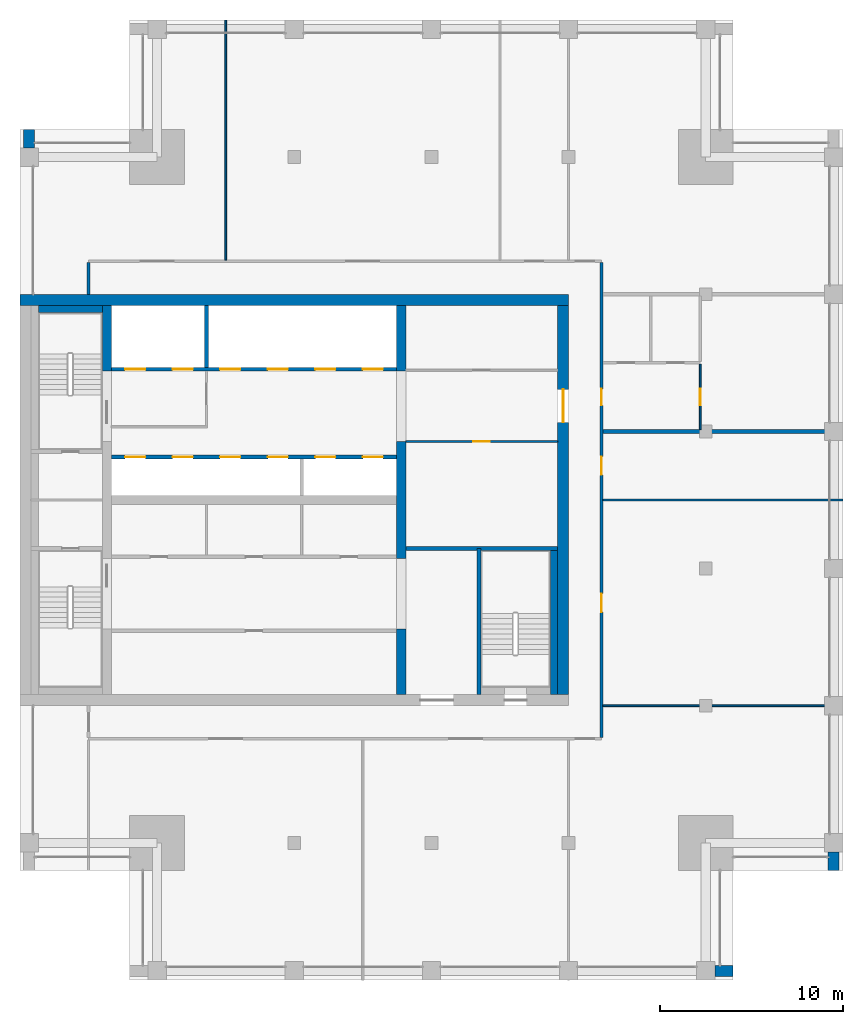
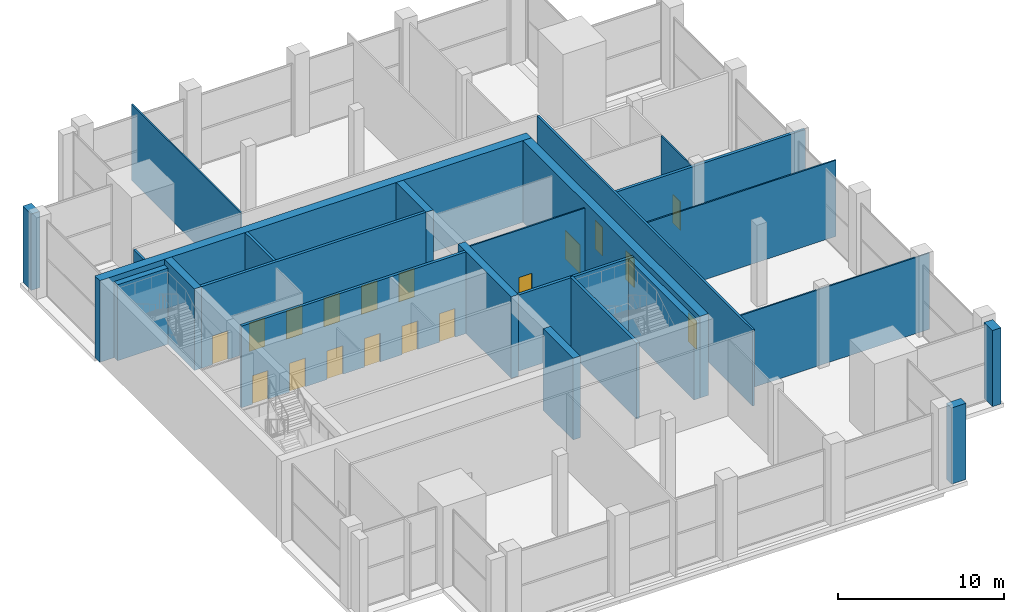
# One storey, part 9 of 15: 24 walls, 18 doors, 18 openings.
"""IFC4 building model written with IfcOpenShell, lengths in metres."""

from ifc_helpers import new_model, si_unit, direction, frame, frame_2d, origin, place, context, subcontext, project, spatial, rectangle, extrude, material, layer, layer_set, type_object, element, fill, save


model = new_model("IFC4")

# Units and contexts
model_context = context("Model", 3, precision=1e-05, world=origin(), true_north=direction((0.0, 1.0)))
body_context = subcontext(model_context, "Body", "Model", "MODEL_VIEW")
ifc_project = project(units=[si_unit("LENGTHUNIT", "METRE"), si_unit("AREAUNIT", "SQUARE_METRE"), si_unit("VOLUMEUNIT", "CUBIC_METRE"), si_unit("PLANEANGLEUNIT", "RADIAN"), si_unit("MASSUNIT", "GRAM", prefix="KILO")], contexts=[model_context])

# Site, building, storey
site_placement = place(None, origin())
site = spatial("IfcSite", under=ifc_project, at=site_placement, CompositionType="ELEMENT")
building_placement = place(site_placement, origin())
building = spatial("IfcBuilding", under=site, at=building_placement, Name="Tamorin Gate", CompositionType="ELEMENT")
storey_placement = place(building_placement, frame((0.0, 0.0, 308.699951171875)))
storey = spatial("IfcBuildingStorey", under=building, at=storey_placement, Name="L76", CompositionType="ELEMENT", Elevation=308.699951171875)

# Walls
ifc_material_1 = material(Name="Precast concrete C40/50", Category="concrete")
ifc_layer_1 = layer(ifc_material_1, 0.60009765625)
ifc_layer_set_1 = layer_set([ifc_layer_1], Name="Precast concrete C40/50")
wall_type_1 = type_object("IfcWallType", Name="Board-marked concrete facade panel 600", PredefinedType="SOLIDWALL", material=ifc_layer_set_1)
for number, where, z_axis, x_axis, name in (
    (1, (68.0, 45.5, 0.0), (0.0, 0.0, 1.0), (1.0, 0.0, 0.0), "Facade panel"),
    (2, (74.5, 51.0, 0.0), (0.0, 0.0, 1.0), (0.0, 1.0, 0.0), "Facade panel"),
    (3, (30.5, 91.5, 0.0), (0.0, 0.0, 1.0), (0.0, -1.0, 0.0), "Facade panel"),
):
    element("IfcWall", number, at=place(storey_placement, frame(where, z_axis=z_axis, x_axis=x_axis)), inside=storey, type_object=wall_type_1, Name=name, PredefinedType="SOLIDWALL", context=body_context, shape_type="SweptSolid", body=[
        extrude(rectangle(XDim=1.0, YDim=0.60009765625, at=frame_2d((0.5, 0.0))), origin(), (0.0, 0.0, 1.0), 5.60009765625),
    ])
ifc_material_2 = material(Name="Gypsum board partition")
ifc_layer_2 = layer(ifc_material_2, 0.14990234375)
ifc_layer_set_2 = layer_set([ifc_layer_2], Name="Corridor wall 150")
wall_type_2 = type_object("IfcWallType", Name="Corridor wall 150", PredefinedType="PARTITIONING", material=ifc_layer_set_2)
wall_1_placement = place(storey_placement, frame((33.75, 82.5, 0.0), z_axis=(0.0, 0.0, 1.0), x_axis=(0.0, 1.0, 0.0)))
element("IfcWall", 4, at=wall_1_placement, inside=storey, type_object=wall_type_2, Name="Corridor wall 150", PredefinedType="PARTITIONING", context=body_context, shape_type="SweptSolid", body=[
    extrude(rectangle(XDim=1.72509765625, YDim=0.14990234375, at=frame_2d((0.862548828125, 0.0))), origin(), (0.0, 0.0, 1.0), 5.60009765625),
])

# Wall, openings, doors
wall_2_placement = place(storey_placement, frame((61.800048828125, 58.27490234375, 0.0), z_axis=(0.0, 0.0, 1.0), x_axis=(0.0, 1.0, 0.0)))
wall_2 = element("IfcWall", 5, at=wall_2_placement, inside=storey, type_object=wall_type_2, Name="Corridor wall 150", PredefinedType="PARTITIONING", context=body_context, shape_type="SweptSolid", body=[
    extrude(rectangle(XDim=25.9501953125, YDim=0.14990234375, at=frame_2d((12.97509765625, 0.0))), origin(), (0.0, 0.0, 1.0), 5.60009765625),
])
opening_1_placement = place(wall_2_placement, frame((6.85009765625, 0.0, 0.0)))
opening_1 = element("IfcOpeningElement", 6, at=opening_1_placement, cuts=wall_2, Name="Opening DOB2009", PredefinedType="OPENING", context=body_context, shape_type="SweptSolid", body=[
    extrude(rectangle(XDim=1.0, YDim=2.10009765625, at=frame_2d((0.5, 1.050048828125))), frame((0.0, 0.0849609375, 0.0), z_axis=(0.0, -1.0, 0.0), x_axis=(1.0, 0.0, 0.0)), (0.0, 0.0, 1.0), 0.169921875),
])
opening_2_placement = place(wall_2_placement, frame((14.35009765625, 0.0, 0.0)))
opening_2 = element("IfcOpeningElement", 7, at=opening_2_placement, cuts=wall_2, Name="Opening DOB2010", PredefinedType="OPENING", context=body_context, shape_type="SweptSolid", body=[
    extrude(rectangle(XDim=1.0, YDim=2.10009765625, at=frame_2d((0.5, 1.050048828125))), frame((0.0, 0.0849609375, 0.0), z_axis=(0.0, -1.0, 0.0), x_axis=(1.0, 0.0, 0.0)), (0.0, 0.0, 1.0), 0.169921875),
])
opening_3_placement = place(wall_2_placement, frame((18.14990234375, 0.0, 0.0)))
opening_3 = element("IfcOpeningElement", 8, at=opening_3_placement, cuts=wall_2, Name="Opening DOB2011", PredefinedType="OPENING", context=body_context, shape_type="SweptSolid", body=[
    extrude(rectangle(XDim=0.89990234375, YDim=2.10009765625, at=frame_2d((0.449951171875, 1.050048828125))), frame((0.0, 0.0849609375, 0.0), z_axis=(0.0, -1.0, 0.0), x_axis=(1.0, 0.0, 0.0)), (0.0, 0.0, 1.0), 0.169921875),
])
ifc_material_3 = material(Name="Timber door leaf", Category="wood")
door_type_1 = type_object("IfcDoorType", Name="Door 1000 x 2100 FD30S", OperationType="NOTDEFINED", PredefinedType="DOOR", material=ifc_material_3)
door_1_placement = place(opening_1_placement, origin())
door_1 = element("IfcDoor", 9, at=door_1_placement, inside=storey, type_object=door_type_1, Name="Door DOB2009", OperationType="SINGLE_SWING_RIGHT", OverallHeight=2.10009765625, OverallWidth=1.0, PredefinedType="DOOR", context=body_context, shape_type="SweptSolid", body=[
    extrude(rectangle(XDim=1.0, YDim=2.10009765625, at=frame_2d((0.5, 1.050048828125))), frame((0.0, 0.02490234375, 0.0), z_axis=(0.0, -1.0, 0.0), x_axis=(1.0, 0.0, 0.0)), (0.0, 0.0, 1.0), 0.050048828125),
])
fill(opening_1, door_1)
door_2_placement = place(opening_2_placement, origin())
door_2 = element("IfcDoor", 10, at=door_2_placement, inside=storey, type_object=door_type_1, Name="Door DOB2010", OperationType="SINGLE_SWING_RIGHT", OverallHeight=2.10009765625, OverallWidth=1.0, PredefinedType="DOOR", context=body_context, shape_type="SweptSolid", body=[
    extrude(rectangle(XDim=1.0, YDim=2.10009765625, at=frame_2d((0.5, 1.050048828125))), frame((0.0, 0.02490234375, 0.0), z_axis=(0.0, -1.0, 0.0), x_axis=(1.0, 0.0, 0.0)), (0.0, 0.0, 1.0), 0.050048828125),
])
fill(opening_2, door_2)
door_type_2 = type_object("IfcDoorType", Name="Door 900 x 2100 FD30S", OperationType="NOTDEFINED", PredefinedType="DOOR", material=ifc_material_3)
door_3_placement = place(opening_3_placement, origin())
door_3 = element("IfcDoor", 11, at=door_3_placement, inside=storey, type_object=door_type_2, Name="Door DOB2011", OperationType="SINGLE_SWING_RIGHT", OverallHeight=2.10009765625, OverallWidth=0.89990234375, PredefinedType="DOOR", context=body_context, shape_type="SweptSolid", body=[
    extrude(rectangle(XDim=0.89990234375, YDim=2.10009765625, at=frame_2d((0.449951171875, 1.050048828125))), frame((0.0, 0.02490234375, 0.0), z_axis=(0.0, -1.0, 0.0), x_axis=(1.0, 0.0, 0.0)), (0.0, 0.0, 1.0), 0.050048828125),
])
fill(opening_3, door_3)

# Wall
ifc_layer_3 = layer(ifc_material_2, 0.199951171875)
ifc_layer_set_3 = layer_set([ifc_layer_3], Name="Demising wall 200")
wall_type_3 = type_object("IfcWallType", Name="Demising wall 200", PredefinedType="PARTITIONING", material=ifc_layer_set_3)
wall_3_placement = place(storey_placement, frame((61.875, 75.0, 0.0), z_axis=(0.0, 0.0, 1.0), x_axis=(1.0, 0.0, 0.0)))
element("IfcWall", 12, at=wall_3_placement, inside=storey, type_object=wall_type_3, Name="Demising wall 200", PredefinedType="PARTITIONING", context=body_context, shape_type="SweptSolid", body=[
    extrude(rectangle(XDim=13.125, YDim=0.199951171875, at=frame_2d((6.5625, 0.0))), origin(), (0.0, 0.0, 1.0), 5.60009765625),
])

# Wall, openings, doors
ifc_material_4 = material(Name="Concrete C32/40", Category="concrete")
ifc_layer_4 = layer(ifc_material_4, 0.199951171875)
ifc_layer_set_4 = layer_set([ifc_layer_4], Name="Lift lobby face wall 200 EI 120")
wall_type_4 = type_object("IfcWallType", Name="Lift lobby face wall 200 EI 120", PredefinedType="SOLIDWALL", material=ifc_layer_set_4)
wall_4_placement = place(storey_placement, frame((35.0, 73.60009765625, 0.0), z_axis=(0.0, 0.0, 1.0), x_axis=(1.0, 0.0, 0.0)))
wall_4 = element("IfcWall", 13, at=wall_4_placement, inside=storey, type_object=wall_type_4, Name="Lift lobby face wall", PredefinedType="SOLIDWALL", context=body_context, shape_type="SweptSolid", body=[
    extrude(rectangle(XDim=15.60009765625, YDim=0.199951171875, at=frame_2d((7.800048828125, 0.0))), origin(), (0.0, 0.0, 1.0), 6.0),
])
opening_4_placement = place(wall_4_placement, frame((0.75, 0.0, 0.0)))
opening_4 = element("IfcOpeningElement", 14, at=opening_4_placement, cuts=wall_4, Name="Opening LD11", PredefinedType="OPENING", context=body_context, shape_type="SweptSolid", body=[
    extrude(rectangle(XDim=1.10009765625, YDim=2.10009765625, at=frame_2d((0.550048828125, 1.050048828125))), frame((0.0, 0.10986328125, 0.0), z_axis=(0.0, -1.0, 0.0), x_axis=(1.0, 0.0, 0.0)), (0.0, 0.0, 1.0), 0.219970703125),
])
opening_5_placement = place(wall_4_placement, frame((3.35009765625, 0.0, 0.0)))
opening_5 = element("IfcOpeningElement", 15, at=opening_5_placement, cuts=wall_4, Name="Opening LD12", PredefinedType="OPENING", context=body_context, shape_type="SweptSolid", body=[
    extrude(rectangle(XDim=1.10009765625, YDim=2.10009765625, at=frame_2d((0.550048828125, 1.050048828125))), frame((0.0, 0.10986328125, 0.0), z_axis=(0.0, -1.0, 0.0), x_axis=(1.0, 0.0, 0.0)), (0.0, 0.0, 1.0), 0.219970703125),
])
opening_6_placement = place(wall_4_placement, frame((5.949951171875, 0.0, 0.0)))
opening_6 = element("IfcOpeningElement", 16, at=opening_6_placement, cuts=wall_4, Name="Opening LD13", PredefinedType="OPENING", context=body_context, shape_type="SweptSolid", body=[
    extrude(rectangle(XDim=1.10009765625, YDim=2.10009765625, at=frame_2d((0.550048828125, 1.050048828125))), frame((0.0, 0.10986328125, 0.0), z_axis=(0.0, -1.0, 0.0), x_axis=(1.0, 0.0, 0.0)), (0.0, 0.0, 1.0), 0.219970703125),
])
opening_7_placement = place(wall_4_placement, frame((8.550048828125, 0.0, 0.0)))
opening_7 = element("IfcOpeningElement", 17, at=opening_7_placement, cuts=wall_4, Name="Opening LD14", PredefinedType="OPENING", context=body_context, shape_type="SweptSolid", body=[
    extrude(rectangle(XDim=1.10009765625, YDim=2.10009765625, at=frame_2d((0.550048828125, 1.050048828125))), frame((0.0, 0.10986328125, 0.0), z_axis=(0.0, -1.0, 0.0), x_axis=(1.0, 0.0, 0.0)), (0.0, 0.0, 1.0), 0.219970703125),
])
opening_8_placement = place(wall_4_placement, frame((11.14990234375, 0.0, 0.0)))
opening_8 = element("IfcOpeningElement", 18, at=opening_8_placement, cuts=wall_4, Name="Opening LD15", PredefinedType="OPENING", context=body_context, shape_type="SweptSolid", body=[
    extrude(rectangle(XDim=1.10009765625, YDim=2.10009765625, at=frame_2d((0.550048828125, 1.050048828125))), frame((0.0, 0.10986328125, 0.0), z_axis=(0.0, -1.0, 0.0), x_axis=(1.0, 0.0, 0.0)), (0.0, 0.0, 1.0), 0.219970703125),
])
opening_9_placement = place(wall_4_placement, frame((13.75, 0.0, 0.0)))
opening_9 = element("IfcOpeningElement", 19, at=opening_9_placement, cuts=wall_4, Name="Opening LD16", PredefinedType="OPENING", context=body_context, shape_type="SweptSolid", body=[
    extrude(rectangle(XDim=1.10009765625, YDim=2.10009765625, at=frame_2d((0.550048828125, 1.050048828125))), frame((0.0, 0.10986328125, 0.0), z_axis=(0.0, -1.0, 0.0), x_axis=(1.0, 0.0, 0.0)), (0.0, 0.0, 1.0), 0.219970703125),
])
ifc_material_5 = material(Name="Stainless steel sliding door", Category="steel")
door_type_3 = type_object("IfcDoorType", Name="Lift landing door 1100 x 2100 E 90", OperationType="DOUBLE_DOOR_SLIDING", PredefinedType="DOOR", material=ifc_material_5)
door_4_placement = place(opening_4_placement, origin())
door_4 = element("IfcDoor", 20, at=door_4_placement, inside=storey, type_object=door_type_3, Name="HR1 landing door", OperationType="DOUBLE_DOOR_SLIDING", OverallHeight=2.10009765625, OverallWidth=1.10009765625, PredefinedType="DOOR", context=body_context, shape_type="SweptSolid", body=[
    extrude(rectangle(XDim=1.10009765625, YDim=2.10009765625, at=frame_2d((0.550048828125, 1.050048828125))), frame((0.0, 0.02490234375, 0.0), z_axis=(0.0, -1.0, 0.0), x_axis=(1.0, 0.0, 0.0)), (0.0, 0.0, 1.0), 0.050048828125),
])
fill(opening_4, door_4)
door_5_placement = place(opening_5_placement, origin())
door_5 = element("IfcDoor", 21, at=door_5_placement, inside=storey, type_object=door_type_3, Name="HR2 landing door", OperationType="DOUBLE_DOOR_SLIDING", OverallHeight=2.10009765625, OverallWidth=1.10009765625, PredefinedType="DOOR", context=body_context, shape_type="SweptSolid", body=[
    extrude(rectangle(XDim=1.10009765625, YDim=2.10009765625, at=frame_2d((0.550048828125, 1.050048828125))), frame((0.0, 0.02490234375, 0.0), z_axis=(0.0, -1.0, 0.0), x_axis=(1.0, 0.0, 0.0)), (0.0, 0.0, 1.0), 0.050048828125),
])
fill(opening_5, door_5)
door_6_placement = place(opening_6_placement, origin())
door_6 = element("IfcDoor", 22, at=door_6_placement, inside=storey, type_object=door_type_3, Name="HR3 landing door", OperationType="DOUBLE_DOOR_SLIDING", OverallHeight=2.10009765625, OverallWidth=1.10009765625, PredefinedType="DOOR", context=body_context, shape_type="SweptSolid", body=[
    extrude(rectangle(XDim=1.10009765625, YDim=2.10009765625, at=frame_2d((0.550048828125, 1.050048828125))), frame((0.0, 0.02490234375, 0.0), z_axis=(0.0, -1.0, 0.0), x_axis=(1.0, 0.0, 0.0)), (0.0, 0.0, 1.0), 0.050048828125),
])
fill(opening_6, door_6)
door_7_placement = place(opening_7_placement, origin())
door_7 = element("IfcDoor", 23, at=door_7_placement, inside=storey, type_object=door_type_3, Name="HR4 landing door", OperationType="DOUBLE_DOOR_SLIDING", OverallHeight=2.10009765625, OverallWidth=1.10009765625, PredefinedType="DOOR", context=body_context, shape_type="SweptSolid", body=[
    extrude(rectangle(XDim=1.10009765625, YDim=2.10009765625, at=frame_2d((0.550048828125, 1.050048828125))), frame((0.0, 0.02490234375, 0.0), z_axis=(0.0, -1.0, 0.0), x_axis=(1.0, 0.0, 0.0)), (0.0, 0.0, 1.0), 0.050048828125),
])
fill(opening_7, door_7)
door_8_placement = place(opening_8_placement, origin())
door_8 = element("IfcDoor", 24, at=door_8_placement, inside=storey, type_object=door_type_3, Name="HR5 landing door", OperationType="DOUBLE_DOOR_SLIDING", OverallHeight=2.10009765625, OverallWidth=1.10009765625, PredefinedType="DOOR", context=body_context, shape_type="SweptSolid", body=[
    extrude(rectangle(XDim=1.10009765625, YDim=2.10009765625, at=frame_2d((0.550048828125, 1.050048828125))), frame((0.0, 0.02490234375, 0.0), z_axis=(0.0, -1.0, 0.0), x_axis=(1.0, 0.0, 0.0)), (0.0, 0.0, 1.0), 0.050048828125),
])
fill(opening_8, door_8)
door_9_placement = place(opening_9_placement, origin())
door_9 = element("IfcDoor", 25, at=door_9_placement, inside=storey, type_object=door_type_3, Name="HR6 landing door", OperationType="DOUBLE_DOOR_SLIDING", OverallHeight=2.10009765625, OverallWidth=1.10009765625, PredefinedType="DOOR", context=body_context, shape_type="SweptSolid", body=[
    extrude(rectangle(XDim=1.10009765625, YDim=2.10009765625, at=frame_2d((0.550048828125, 1.050048828125))), frame((0.0, 0.02490234375, 0.0), z_axis=(0.0, -1.0, 0.0), x_axis=(1.0, 0.0, 0.0)), (0.0, 0.0, 1.0), 0.050048828125),
])
fill(opening_9, door_9)

wall_5_placement = place(storey_placement, frame((35.0, 78.39990234375, 0.0), z_axis=(0.0, 0.0, 1.0), x_axis=(1.0, 0.0, 0.0)))
wall_5 = element("IfcWall", 26, at=wall_5_placement, inside=storey, type_object=wall_type_4, Name="Lift lobby face wall", PredefinedType="SOLIDWALL", context=body_context, shape_type="SweptSolid", body=[
    extrude(rectangle(XDim=15.60009765625, YDim=0.199951171875, at=frame_2d((7.800048828125, 0.0))), origin(), (0.0, 0.0, 1.0), 6.0),
])
opening_10_placement = place(wall_5_placement, frame((0.75, 0.0, 0.0)))
opening_10 = element("IfcOpeningElement", 27, at=opening_10_placement, cuts=wall_5, Name="Opening LD17", PredefinedType="OPENING", context=body_context, shape_type="SweptSolid", body=[
    extrude(rectangle(XDim=1.10009765625, YDim=2.10009765625, at=frame_2d((0.550048828125, 1.050048828125))), frame((0.0, 0.10986328125, 0.0), z_axis=(0.0, -1.0, 0.0), x_axis=(1.0, 0.0, 0.0)), (0.0, 0.0, 1.0), 0.219970703125),
])
opening_11_placement = place(wall_5_placement, frame((3.35009765625, 0.0, 0.0)))
opening_11 = element("IfcOpeningElement", 28, at=opening_11_placement, cuts=wall_5, Name="Opening LD18", PredefinedType="OPENING", context=body_context, shape_type="SweptSolid", body=[
    extrude(rectangle(XDim=1.10009765625, YDim=2.10009765625, at=frame_2d((0.550048828125, 1.050048828125))), frame((0.0, 0.10986328125, 0.0), z_axis=(0.0, -1.0, 0.0), x_axis=(1.0, 0.0, 0.0)), (0.0, 0.0, 1.0), 0.219970703125),
])
opening_12_placement = place(wall_5_placement, frame((5.949951171875, 0.0, 0.0)))
opening_12 = element("IfcOpeningElement", 29, at=opening_12_placement, cuts=wall_5, Name="Opening LD19", PredefinedType="OPENING", context=body_context, shape_type="SweptSolid", body=[
    extrude(rectangle(XDim=1.10009765625, YDim=2.10009765625, at=frame_2d((0.550048828125, 1.050048828125))), frame((0.0, 0.10986328125, 0.0), z_axis=(0.0, -1.0, 0.0), x_axis=(1.0, 0.0, 0.0)), (0.0, 0.0, 1.0), 0.219970703125),
])
opening_13_placement = place(wall_5_placement, frame((8.550048828125, 0.0, 0.0)))
opening_13 = element("IfcOpeningElement", 30, at=opening_13_placement, cuts=wall_5, Name="Opening LD20", PredefinedType="OPENING", context=body_context, shape_type="SweptSolid", body=[
    extrude(rectangle(XDim=1.10009765625, YDim=2.10009765625, at=frame_2d((0.550048828125, 1.050048828125))), frame((0.0, 0.10986328125, 0.0), z_axis=(0.0, -1.0, 0.0), x_axis=(1.0, 0.0, 0.0)), (0.0, 0.0, 1.0), 0.219970703125),
])
opening_14_placement = place(wall_5_placement, frame((11.14990234375, 0.0, 0.0)))
opening_14 = element("IfcOpeningElement", 31, at=opening_14_placement, cuts=wall_5, Name="Opening LD21", PredefinedType="OPENING", context=body_context, shape_type="SweptSolid", body=[
    extrude(rectangle(XDim=1.10009765625, YDim=2.10009765625, at=frame_2d((0.550048828125, 1.050048828125))), frame((0.0, 0.10986328125, 0.0), z_axis=(0.0, -1.0, 0.0), x_axis=(1.0, 0.0, 0.0)), (0.0, 0.0, 1.0), 0.219970703125),
])
opening_15_placement = place(wall_5_placement, frame((13.75, 0.0, 0.0)))
opening_15 = element("IfcOpeningElement", 32, at=opening_15_placement, cuts=wall_5, Name="Opening LD22", PredefinedType="OPENING", context=body_context, shape_type="SweptSolid", body=[
    extrude(rectangle(XDim=1.10009765625, YDim=2.10009765625, at=frame_2d((0.550048828125, 1.050048828125))), frame((0.0, 0.10986328125, 0.0), z_axis=(0.0, -1.0, 0.0), x_axis=(1.0, 0.0, 0.0)), (0.0, 0.0, 1.0), 0.219970703125),
])
door_10_placement = place(opening_10_placement, origin())
door_10 = element("IfcDoor", 33, at=door_10_placement, inside=storey, type_object=door_type_3, Name="FF1 landing door", OperationType="DOUBLE_DOOR_SLIDING", OverallHeight=2.10009765625, OverallWidth=1.10009765625, PredefinedType="DOOR", context=body_context, shape_type="SweptSolid", body=[
    extrude(rectangle(XDim=1.10009765625, YDim=2.10009765625, at=frame_2d((0.550048828125, 1.050048828125))), frame((0.0, 0.02490234375, 0.0), z_axis=(0.0, -1.0, 0.0), x_axis=(1.0, 0.0, 0.0)), (0.0, 0.0, 1.0), 0.050048828125),
])
fill(opening_10, door_10)
door_11_placement = place(opening_11_placement, origin())
door_11 = element("IfcDoor", 34, at=door_11_placement, inside=storey, type_object=door_type_3, Name="FF2 landing door", OperationType="DOUBLE_DOOR_SLIDING", OverallHeight=2.10009765625, OverallWidth=1.10009765625, PredefinedType="DOOR", context=body_context, shape_type="SweptSolid", body=[
    extrude(rectangle(XDim=1.10009765625, YDim=2.10009765625, at=frame_2d((0.550048828125, 1.050048828125))), frame((0.0, 0.02490234375, 0.0), z_axis=(0.0, -1.0, 0.0), x_axis=(1.0, 0.0, 0.0)), (0.0, 0.0, 1.0), 0.050048828125),
])
fill(opening_11, door_11)
door_12_placement = place(opening_12_placement, origin())
door_12 = element("IfcDoor", 35, at=door_12_placement, inside=storey, type_object=door_type_3, Name="OB1 landing door", OperationType="DOUBLE_DOOR_SLIDING", OverallHeight=2.10009765625, OverallWidth=1.10009765625, PredefinedType="DOOR", context=body_context, shape_type="SweptSolid", body=[
    extrude(rectangle(XDim=1.10009765625, YDim=2.10009765625, at=frame_2d((0.550048828125, 1.050048828125))), frame((0.0, 0.02490234375, 0.0), z_axis=(0.0, -1.0, 0.0), x_axis=(1.0, 0.0, 0.0)), (0.0, 0.0, 1.0), 0.050048828125),
])
fill(opening_12, door_12)
door_13_placement = place(opening_13_placement, origin())
door_13 = element("IfcDoor", 36, at=door_13_placement, inside=storey, type_object=door_type_3, Name="OB2 landing door", OperationType="DOUBLE_DOOR_SLIDING", OverallHeight=2.10009765625, OverallWidth=1.10009765625, PredefinedType="DOOR", context=body_context, shape_type="SweptSolid", body=[
    extrude(rectangle(XDim=1.10009765625, YDim=2.10009765625, at=frame_2d((0.550048828125, 1.050048828125))), frame((0.0, 0.02490234375, 0.0), z_axis=(0.0, -1.0, 0.0), x_axis=(1.0, 0.0, 0.0)), (0.0, 0.0, 1.0), 0.050048828125),
])
fill(opening_13, door_13)
door_14_placement = place(opening_14_placement, origin())
door_14 = element("IfcDoor", 37, at=door_14_placement, inside=storey, type_object=door_type_3, Name="SV1 landing door", OperationType="DOUBLE_DOOR_SLIDING", OverallHeight=2.10009765625, OverallWidth=1.10009765625, PredefinedType="DOOR", context=body_context, shape_type="SweptSolid", body=[
    extrude(rectangle(XDim=1.10009765625, YDim=2.10009765625, at=frame_2d((0.550048828125, 1.050048828125))), frame((0.0, 0.02490234375, 0.0), z_axis=(0.0, -1.0, 0.0), x_axis=(1.0, 0.0, 0.0)), (0.0, 0.0, 1.0), 0.050048828125),
])
fill(opening_14, door_14)
door_15_placement = place(opening_15_placement, origin())
door_15 = element("IfcDoor", 38, at=door_15_placement, inside=storey, type_object=door_type_3, Name="SV2 landing door", OperationType="DOUBLE_DOOR_SLIDING", OverallHeight=2.10009765625, OverallWidth=1.10009765625, PredefinedType="DOOR", context=body_context, shape_type="SweptSolid", body=[
    extrude(rectangle(XDim=1.10009765625, YDim=2.10009765625, at=frame_2d((0.550048828125, 1.050048828125))), frame((0.0, 0.02490234375, 0.0), z_axis=(0.0, -1.0, 0.0), x_axis=(1.0, 0.0, 0.0)), (0.0, 0.0, 1.0), 0.050048828125),
])
fill(opening_15, door_15)

# Walls
ifc_layer_5 = layer(ifc_material_4, 0.199951171875)
ifc_layer_set_5 = layer_set([ifc_layer_5], Name="Lift shaft wall 200 EI 120")
wall_type_5 = type_object("IfcWallType", Name="Lift shaft wall 200 EI 120", PredefinedType="SOLIDWALL", material=ifc_layer_set_5)
wall_6_placement = place(storey_placement, frame((40.199951171875, 78.5, 0.0), z_axis=(0.0, 0.0, 1.0), x_axis=(0.0, 1.0, 0.0)))
element("IfcWall", 39, at=wall_6_placement, inside=storey, type_object=wall_type_5, Name="Lift shaft wall", PredefinedType="SOLIDWALL", context=body_context, shape_type="SweptSolid", body=[
    extrude(rectangle(XDim=3.39990234375, YDim=0.199951171875, at=frame_2d((1.699951171875, 0.0))), origin(), (0.0, 0.0, 1.0), 6.0),
])
ifc_material_6 = material(Name="Concrete C50/60", Category="concrete")
ifc_layer_6 = layer(ifc_material_6, 0.5)
ifc_layer_set_6 = layer_set([ifc_layer_6], Name="RC core internal wall 500 C50/60")
wall_type_6 = type_object("IfcWallType", Name="RC core internal wall 500 C50/60", PredefinedType="SHEAR", material=ifc_layer_set_6)
for number, where, z_axis, x_axis, name in (
    (40, (34.75, 78.300048828125, 0.0), (0.0, 0.0, 1.0), (0.0, 1.0, 0.0), "Core cross wall L76"),
    (41, (50.85009765625, 60.60009765625, 0.0), (0.0, 0.0, 1.0), (0.0, 1.0, 0.0), "Core cross wall L76"),
):
    element("IfcWall", number, at=place(storey_placement, frame(where, z_axis=z_axis, x_axis=x_axis)), inside=storey, type_object=wall_type_6, Name=name, PredefinedType="SHEAR", context=body_context, shape_type="SweptSolid", body=[
        extrude(rectangle(XDim=3.599853515625, YDim=0.5, at=frame_2d((1.7998046875, 0.0))), origin(), (0.0, 0.0, 1.0), 6.0),
    ])
wall_7_placement = place(storey_placement, frame((50.85009765625, 68.050048828125, 0.0), z_axis=(0.0, 0.0, 1.0), x_axis=(0.0, 1.0, 0.0)))
element("IfcWall", 42, at=wall_7_placement, inside=storey, type_object=wall_type_6, Name="Core cross wall L76", PredefinedType="SHEAR", context=body_context, shape_type="SweptSolid", body=[
    extrude(rectangle(XDim=6.39990234375, YDim=0.5, at=frame_2d((3.199951171875, 0.0))), origin(), (0.0, 0.0, 1.0), 6.0),
])
wall_8_placement = place(storey_placement, frame((50.85009765625, 78.300048828125, 0.0), z_axis=(0.0, 0.0, 1.0), x_axis=(0.0, 1.0, 0.0)))
element("IfcWall", 43, at=wall_8_placement, inside=storey, type_object=wall_type_6, Name="Core cross wall L76", PredefinedType="SHEAR", context=body_context, shape_type="SweptSolid", body=[
    extrude(rectangle(XDim=3.599853515625, YDim=0.5, at=frame_2d((1.7998046875, 0.0))), origin(), (0.0, 0.0, 1.0), 6.0),
])
ifc_layer_7 = layer(ifc_material_6, 0.60009765625)
ifc_layer_set_7 = layer_set([ifc_layer_7], Name="RC core wall 600 C50/60")
wall_type_7 = type_object("IfcWallType", Name="RC core wall 600 C50/60", PredefinedType="SHEAR", material=ifc_layer_set_7)
wall_9_placement = place(storey_placement, frame((30.0, 82.199951171875, 0.0), z_axis=(0.0, 0.0, 1.0), x_axis=(1.0, 0.0, 0.0)))
element("IfcWall", 44, at=wall_9_placement, inside=storey, type_object=wall_type_7, Name="Core wall L76", PredefinedType="SHEAR", context=body_context, shape_type="SweptSolid", body=[
    extrude(rectangle(XDim=30.0, YDim=0.60009765625, at=frame_2d((15.0, 0.0))), origin(), (0.0, 0.0, 1.0), 6.0),
])

# Wall, opening, door
wall_10_placement = place(storey_placement, frame((59.699951171875, 60.60009765625, 0.0), z_axis=(0.0, 0.0, 1.0), x_axis=(0.0, 1.0, 0.0)))
wall_10 = element("IfcWall", 45, at=wall_10_placement, inside=storey, type_object=wall_type_7, Name="Core wall L76", PredefinedType="SHEAR", context=body_context, shape_type="SweptSolid", body=[
    extrude(rectangle(XDim=21.2998046875, YDim=0.60009765625, at=frame_2d((10.64990234375, 0.0))), origin(), (0.0, 0.0, 1.0), 6.0),
])
opening_16_placement = place(wall_10_placement, frame((14.89990234375, 0.0, 0.0)))
opening_16 = element("IfcOpeningElement", 46, at=opening_16_placement, cuts=wall_10, Name="Opening DE1", PredefinedType="OPENING", context=body_context, shape_type="SweptSolid", body=[
    extrude(rectangle(XDim=1.800048828125, YDim=2.10009765625, at=frame_2d((0.89990234375, 1.050048828125))), frame((0.0, 0.31005859375, 0.0), z_axis=(0.0, -1.0, 0.0), x_axis=(1.0, 0.0, 0.0)), (0.0, 0.0, 1.0), 0.6201171875),
])
ifc_material_7 = material(Name="Steel fire door", Category="steel")
door_type_4 = type_object("IfcDoorType", Name="Lobby exit double door 1800 x 2100 EI 60", OperationType="DOUBLE_DOOR_SINGLE_SWING", PredefinedType="DOOR", material=ifc_material_7)
door_16_placement = place(opening_16_placement, origin())
door_16 = element("IfcDoor", 47, at=door_16_placement, inside=storey, type_object=door_type_4, Name="Lift lobby B exit door", OperationType="DOUBLE_DOOR_SINGLE_SWING", OverallHeight=2.10009765625, OverallWidth=1.800048828125, PredefinedType="DOOR", context=body_context, shape_type="SweptSolid", body=[
    extrude(rectangle(XDim=1.800048828125, YDim=2.10009765625, at=frame_2d((0.89990234375, 1.050048828125))), frame((0.0, 0.02490234375, 0.0), z_axis=(0.0, -1.0, 0.0), x_axis=(1.0, 0.0, 0.0)), (0.0, 0.0, 1.0), 0.050048828125),
])
fill(opening_16, door_16)

# Walls
ifc_layer_8 = layer(ifc_material_2, 0.10009765625)
ifc_layer_set_8 = layer_set([ifc_layer_8], Name="Room partition 100")
wall_type_8 = type_object("IfcWallType", Name="Room partition 100", PredefinedType="PARTITIONING", material=ifc_layer_set_8)
for number, where, z_axis, x_axis, name in (
    (48, (61.875, 60.0, 0.0), (0.0, 0.0, 1.0), (1.0, 0.0, 0.0), "Room partition 100"),
    (49, (61.875, 71.25, 0.0), (0.0, 0.0, 1.0), (1.0, 0.0, 0.0), "Room partition 100"),
    (50, (41.25, 84.375, 0.0), (0.0, 0.0, 1.0), (0.0, 1.0, 0.0), "Room partition 100"),
):
    element("IfcWall", number, at=place(storey_placement, frame(where, z_axis=z_axis, x_axis=x_axis)), inside=storey, type_object=wall_type_8, Name=name, PredefinedType="PARTITIONING", context=body_context, shape_type="SweptSolid", body=[
        extrude(rectangle(XDim=13.125, YDim=0.10009765625, at=frame_2d((6.5625, 0.0))), origin(), (0.0, 0.0, 1.0), 5.60009765625),
    ])

# Wall, opening, door
wall_11_placement = place(storey_placement, frame((67.199951171875, 75.10009765625, 0.0), z_axis=(0.0, 0.0, 1.0), x_axis=(0.0, 1.0, 0.0)))
wall_11 = element("IfcWall", 51, at=wall_11_placement, inside=storey, type_object=wall_type_8, Name="Room partition 100", PredefinedType="PARTITIONING", context=body_context, shape_type="SweptSolid", body=[
    extrude(rectangle(XDim=3.58740234375, YDim=0.10009765625, at=frame_2d((1.793701171875, 0.0))), origin(), (0.0, 0.0, 1.0), 5.60009765625),
])
opening_17_placement = place(wall_11_placement, frame((1.324951171875, 0.0, 0.0)))
opening_17 = element("IfcOpeningElement", 52, at=opening_17_placement, cuts=wall_11, Name="Opening DOB2012", PredefinedType="OPENING", context=body_context, shape_type="SweptSolid", body=[
    extrude(rectangle(XDim=0.89990234375, YDim=2.10009765625, at=frame_2d((0.449951171875, 1.050048828125))), frame((0.0, 0.06005859375, 0.0), z_axis=(0.0, -1.0, 0.0), x_axis=(1.0, 0.0, 0.0)), (0.0, 0.0, 1.0), 0.1201171875),
])
door_type_5 = type_object("IfcDoorType", Name="Door 900 x 2100", OperationType="NOTDEFINED", PredefinedType="DOOR", material=ifc_material_3)
door_17_placement = place(opening_17_placement, origin())
door_17 = element("IfcDoor", 53, at=door_17_placement, inside=storey, type_object=door_type_5, Name="Door DOB2012", OperationType="SINGLE_SWING_LEFT", OverallHeight=2.10009765625, OverallWidth=0.89990234375, PredefinedType="DOOR", context=body_context, shape_type="SweptSolid", body=[
    extrude(rectangle(XDim=0.89990234375, YDim=2.10009765625, at=frame_2d((0.449951171875, 1.050048828125))), frame((0.0, 0.02490234375, 0.0), z_axis=(0.0, -1.0, 0.0), x_axis=(1.0, 0.0, 0.0)), (0.0, 0.0, 1.0), 0.050048828125),
])
fill(opening_17, door_17)

ifc_layer_9 = layer(ifc_material_2, 0.10009765625)
ifc_layer_set_9 = layer_set([ifc_layer_9], Name="Service room partition 100 EI 60")
wall_type_9 = type_object("IfcWallType", Name="Service room partition 100 EI 60", PredefinedType="PARTITIONING", material=ifc_layer_set_9)
wall_12_placement = place(storey_placement, frame((51.10009765625, 74.449951171875, 0.0), z_axis=(0.0, 0.0, 1.0), x_axis=(1.0, 0.0, 0.0)))
wall_12 = element("IfcWall", 54, at=wall_12_placement, inside=storey, type_object=wall_type_9, Name="Service room wall", PredefinedType="PARTITIONING", context=body_context, shape_type="SweptSolid", body=[
    extrude(rectangle(XDim=8.2998046875, YDim=0.10009765625, at=frame_2d((4.14990234375, 0.0))), origin(), (0.0, 0.0, 1.0), 5.590087890625),
])
opening_18_placement = place(wall_12_placement, frame((3.699951171875, 0.0, 0.0)))
opening_18 = element("IfcOpeningElement", 55, at=opening_18_placement, cuts=wall_12, Name="Opening DR1", PredefinedType="OPENING", context=body_context, shape_type="SweptSolid", body=[
    extrude(rectangle(XDim=0.89990234375, YDim=2.10009765625, at=frame_2d((0.449951171875, 1.050048828125))), frame((0.0, 0.06005859375, 0.0), z_axis=(0.0, -1.0, 0.0), x_axis=(1.0, 0.0, 0.0)), (0.0, 0.0, 1.0), 0.1201171875),
])
door_type_6 = type_object("IfcDoorType", Name="Riser access door 900 x 2100 EI 120", OperationType="SINGLE_SWING_LEFT", PredefinedType="DOOR", material=ifc_material_7)
door_18_placement = place(opening_18_placement, origin())
door_18 = element("IfcDoor", 56, at=door_18_placement, inside=storey, type_object=door_type_6, Name="Duct riser door", OperationType="SINGLE_SWING_RIGHT", OverallHeight=2.10009765625, OverallWidth=0.89990234375, PredefinedType="DOOR", context=body_context, shape_type="SweptSolid", body=[
    extrude(rectangle(XDim=0.89990234375, YDim=2.10009765625, at=frame_2d((0.449951171875, 1.050048828125))), frame((0.0, 0.02490234375, 0.0), z_axis=(0.0, -1.0, 0.0), x_axis=(1.0, 0.0, 0.0)), (0.0, 0.0, 1.0), 0.050048828125),
])
fill(opening_18, door_18)

# Walls
ifc_material_8 = material(Name="Concrete C40/50", Category="concrete")
ifc_layer_10 = layer(ifc_material_8, 0.199951171875)
ifc_layer_set_10 = layer_set([ifc_layer_10], Name="Stair enclosure wall 200 EI 120 C40/50")
wall_type_10 = type_object("IfcWallType", Name="Stair enclosure wall 200 EI 120 C40/50", PredefinedType="SOLIDWALL", material=ifc_layer_set_10)
wall_13_placement = place(storey_placement, frame((55.10009765625, 60.60009765625, 0.0), z_axis=(0.0, 0.0, 1.0), x_axis=(0.0, 1.0, 0.0)))
element("IfcWall", 57, at=wall_13_placement, inside=storey, type_object=wall_type_10, Name="Stair enclosure wall", PredefinedType="SOLIDWALL", context=body_context, shape_type="SweptSolid", body=[
    extrude(rectangle(XDim=8.0, YDim=0.199951171875, at=frame_2d((4.0, 0.0))), origin(), (0.0, 0.0, 1.0), 5.590087890625),
])
wall_14_placement = place(storey_placement, frame((51.10009765625, 68.60009765625, 0.0), z_axis=(0.0, 0.0, 1.0), x_axis=(1.0, 0.0, 0.0)))
element("IfcWall", 58, at=wall_14_placement, inside=storey, type_object=wall_type_10, Name="Stair enclosure wall", PredefinedType="SOLIDWALL", context=body_context, shape_type="SweptSolid", body=[
    extrude(rectangle(XDim=8.2998046875, YDim=0.199951171875, at=frame_2d((4.14990234375, 0.0))), origin(), (0.0, 0.0, 1.0), 5.590087890625),
])
ifc_layer_11 = layer(ifc_material_6, 0.39990234375)
ifc_layer_set_11 = layer_set([ifc_layer_11], Name="Stair lining wall 400 EI 120 C50/60")
wall_type_11 = type_object("IfcWallType", Name="Stair lining wall 400 EI 120 C50/60", PredefinedType="SOLIDWALL", material=ifc_layer_set_11)
wall_15_placement = place(storey_placement, frame((31.0, 81.699951171875, 0.0), z_axis=(0.0, 0.0, 1.0), x_axis=(1.0, 0.0, 0.0)))
element("IfcWall", 59, at=wall_15_placement, inside=storey, type_object=wall_type_11, Name="Stair lining wall", PredefinedType="SOLIDWALL", context=body_context, shape_type="SweptSolid", body=[
    extrude(rectangle(XDim=3.5, YDim=0.39990234375, at=frame_2d((1.75, 0.0))), origin(), (0.0, 0.0, 1.0), 5.590087890625),
])
wall_16_placement = place(storey_placement, frame((59.199951171875, 60.60009765625, 0.0), z_axis=(0.0, 0.0, 1.0), x_axis=(0.0, 1.0, 0.0)))
element("IfcWall", 60, at=wall_16_placement, inside=storey, type_object=wall_type_11, Name="Stair lining wall", PredefinedType="SOLIDWALL", context=body_context, shape_type="SweptSolid", body=[
    extrude(rectangle(XDim=7.89990234375, YDim=0.39990234375, at=frame_2d((3.949951171875, 0.0))), origin(), (0.0, 0.0, 1.0), 5.590087890625),
])

save(model, "model.ifc")
